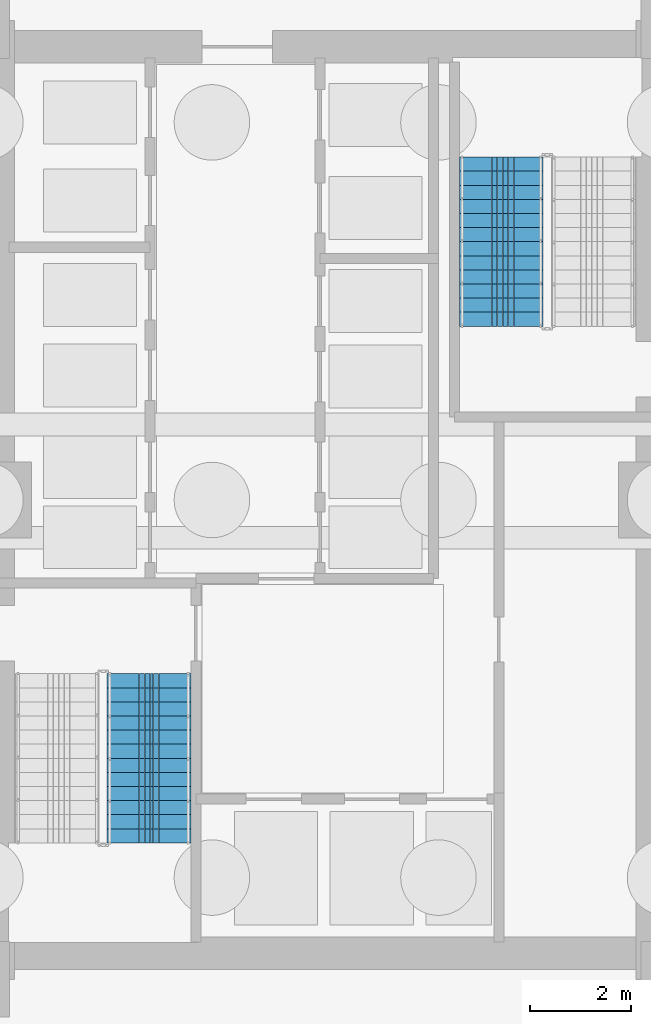
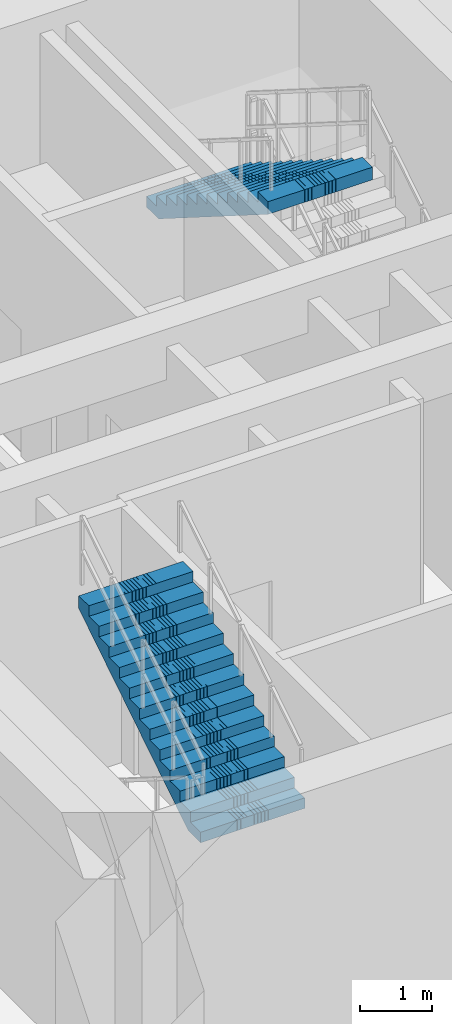
# One storey, part 6 of 14: 2 stair flights, 2 elements without a shape of their own.
"""IFC4 building model written with IfcOpenShell, lengths in metres."""

from ifc_helpers import new_model, si_unit, direction, frame, origin, place, context, subcontext, project, spatial, polyline, outline, extrude, material, type_object, element, aggregate, save


model = new_model("IFC4")

# Units and contexts
model_context = context("Model", 3, precision=1e-05, world=origin(), true_north=direction((0.0, 1.0)))
body_context = subcontext(model_context, "Body", "Model", "MODEL_VIEW")
ifc_project = project(units=[si_unit("LENGTHUNIT", "METRE"), si_unit("AREAUNIT", "SQUARE_METRE"), si_unit("VOLUMEUNIT", "CUBIC_METRE"), si_unit("PLANEANGLEUNIT", "RADIAN"), si_unit("MASSUNIT", "GRAM", prefix="KILO")], contexts=[model_context])

# Site, building, storey
site_placement = place(None, origin())
site = spatial("IfcSite", under=ifc_project, at=site_placement, CompositionType="ELEMENT")
building_placement = place(site_placement, origin())
building = spatial("IfcBuilding", under=site, at=building_placement, Name="Saelheon Loggia Tower", CompositionType="ELEMENT")
storey_placement = place(building_placement, frame((0.0, 0.0, -9.199951171875)))
storey = spatial("IfcBuildingStorey", under=building, at=storey_placement, Name="B2", CompositionType="ELEMENT", Elevation=-9.199951171875)

# Stair, stair flight
ifc_material = material(Name="Concrete C40/50", Category="concrete")
stair_type = type_object("IfcStairType", Name="Stair_Escape_Core", PredefinedType="HALF_TURN_STAIR", material=ifc_material)
stair_1_placement = place(storey_placement, origin())
stair_1 = element("IfcStair", 1, at=stair_1_placement, inside=storey, type_object=stair_type, Name="B2 Special Escape Stair ST1", PredefinedType="HALF_TURN_STAIR")
stair_flight_type = type_object("IfcStairFlightType", Name="StairFlight_Tower_1660", PredefinedType="STRAIGHT", material=ifc_material)
stair_flight_1_placement = place(storey_placement, frame((34.5, 20.18994140625, 2.300048828125), z_axis=(0.0, 0.0, 1.0), x_axis=(0.0, 1.0, 0.0)))
stair_flight_1 = element("IfcStairFlight", 2, at=stair_flight_1_placement, type_object=stair_flight_type, Name="ST1 flight 2", NumberOfRisers=13, NumberOfTreads=12, PredefinedType="STRAIGHT", RiserHeight=0.176923077, TreadLength=0.28, context=body_context, shape_type="SweptSolid", body=[
    extrude(outline(polyline([(0.0, 0.0), (0.0, 0.177001953125), (0.280029296875, 0.177001953125), (0.280029296875, 0.353759765625), (0.56005859375, 0.353759765625), (0.56005859375, 0.53076171875), (0.840087890625, 0.53076171875), (0.840087890625, 0.707763671875), (1.1201171875, 0.707763671875), (1.1201171875, 0.884521484375), (1.39990234375, 0.884521484375), (1.39990234375, 1.0615234375), (1.679931640625, 1.0615234375), (1.679931640625, 1.238525390625), (1.9599609375, 1.238525390625), (1.9599609375, 1.415283203125), (2.239990234375, 1.415283203125), (2.239990234375, 1.59228515625), (2.52001953125, 1.59228515625), (2.52001953125, 1.769287109375), (2.800048828125, 1.769287109375), (2.800048828125, 1.946044921875), (3.080078125, 1.946044921875), (3.080078125, 2.123046875), (3.360107421875, 2.123046875), (3.360107421875, 2.300048828125), (3.360107421875, 1.91015625), (0.3369140625, 0.0), (0.0, 0.0)])), frame((0.0, -0.2490234375, 0.0), z_axis=(0.0, -1.0, 0.0), x_axis=(1.0, 0.0, 0.0)), (0.0, 0.0, 1.0), 0.5810546875),
    extrude(outline(polyline([(0.0, 0.0), (0.0, 0.177001953125), (0.280029296875, 0.177001953125), (0.280029296875, 0.353759765625), (0.56005859375, 0.353759765625), (0.56005859375, 0.53076171875), (0.840087890625, 0.53076171875), (0.840087890625, 0.707763671875), (1.1201171875, 0.707763671875), (1.1201171875, 0.884521484375), (1.39990234375, 0.884521484375), (1.39990234375, 1.0615234375), (1.679931640625, 1.0615234375), (1.679931640625, 1.238525390625), (1.9599609375, 1.238525390625), (1.9599609375, 1.415283203125), (2.239990234375, 1.415283203125), (2.239990234375, 1.59228515625), (2.52001953125, 1.59228515625), (2.52001953125, 1.769287109375), (2.800048828125, 1.769287109375), (2.800048828125, 1.946044921875), (3.080078125, 1.946044921875), (3.080078125, 2.123046875), (3.360107421875, 2.123046875), (3.360107421875, 2.300048828125), (3.360107421875, 1.91015625), (0.3369140625, 0.0), (0.0, 0.0)])), frame((0.0, -0.194091796875, 0.0), z_axis=(0.0, -1.0, 0.0), x_axis=(1.0, 0.0, 0.0)), (0.0, 0.0, 1.0), 0.0498046875),
    extrude(outline(polyline([(0.0, 0.0), (0.0, 0.177001953125), (0.280029296875, 0.177001953125), (0.280029296875, 0.353759765625), (0.56005859375, 0.353759765625), (0.56005859375, 0.53076171875), (0.840087890625, 0.53076171875), (0.840087890625, 0.707763671875), (1.1201171875, 0.707763671875), (1.1201171875, 0.884521484375), (1.39990234375, 0.884521484375), (1.39990234375, 1.0615234375), (1.679931640625, 1.0615234375), (1.679931640625, 1.238525390625), (1.9599609375, 1.238525390625), (1.9599609375, 1.415283203125), (2.239990234375, 1.415283203125), (2.239990234375, 1.59228515625), (2.52001953125, 1.59228515625), (2.52001953125, 1.769287109375), (2.800048828125, 1.769287109375), (2.800048828125, 1.946044921875), (3.080078125, 1.946044921875), (3.080078125, 2.123046875), (3.360107421875, 2.123046875), (3.360107421875, 2.300048828125), (3.360107421875, 1.91015625), (0.3369140625, 0.0), (0.0, 0.0)])), frame((0.0, -0.139404296875, 0.0), z_axis=(0.0, -1.0, 0.0), x_axis=(1.0, 0.0, 0.0)), (0.0, 0.0, 1.0), 0.0498046875),
    extrude(outline(polyline([(0.0, 0.0), (0.0, 0.177001953125), (0.280029296875, 0.177001953125), (0.280029296875, 0.353759765625), (0.56005859375, 0.353759765625), (0.56005859375, 0.53076171875), (0.840087890625, 0.53076171875), (0.840087890625, 0.707763671875), (1.1201171875, 0.707763671875), (1.1201171875, 0.884521484375), (1.39990234375, 0.884521484375), (1.39990234375, 1.0615234375), (1.679931640625, 1.0615234375), (1.679931640625, 1.238525390625), (1.9599609375, 1.238525390625), (1.9599609375, 1.415283203125), (2.239990234375, 1.415283203125), (2.239990234375, 1.59228515625), (2.52001953125, 1.59228515625), (2.52001953125, 1.769287109375), (2.800048828125, 1.769287109375), (2.800048828125, 1.946044921875), (3.080078125, 1.946044921875), (3.080078125, 2.123046875), (3.360107421875, 2.123046875), (3.360107421875, 2.300048828125), (3.360107421875, 1.91015625), (0.3369140625, 0.0), (0.0, 0.0)])), frame((0.0, -0.084716796875, 0.0), z_axis=(0.0, -1.0, 0.0), x_axis=(1.0, 0.0, 0.0)), (0.0, 0.0, 1.0), 0.0498046875),
    extrude(outline(polyline([(0.0, 0.0), (0.0, 0.177001953125), (0.280029296875, 0.177001953125), (0.280029296875, 0.353759765625), (0.56005859375, 0.353759765625), (0.56005859375, 0.53076171875), (0.840087890625, 0.53076171875), (0.840087890625, 0.707763671875), (1.1201171875, 0.707763671875), (1.1201171875, 0.884521484375), (1.39990234375, 0.884521484375), (1.39990234375, 1.0615234375), (1.679931640625, 1.0615234375), (1.679931640625, 1.238525390625), (1.9599609375, 1.238525390625), (1.9599609375, 1.415283203125), (2.239990234375, 1.415283203125), (2.239990234375, 1.59228515625), (2.52001953125, 1.59228515625), (2.52001953125, 1.769287109375), (2.800048828125, 1.769287109375), (2.800048828125, 1.946044921875), (3.080078125, 1.946044921875), (3.080078125, 2.123046875), (3.360107421875, 2.123046875), (3.360107421875, 2.300048828125), (3.360107421875, 1.91015625), (0.3369140625, 0.0), (0.0, 0.0)])), frame((0.0, -0.02978515625, 0.0), z_axis=(0.0, -1.0, 0.0), x_axis=(1.0, 0.0, 0.0)), (0.0, 0.0, 1.0), 0.0498046875),
    extrude(outline(polyline([(0.0, 0.0), (0.0, 0.177001953125), (0.280029296875, 0.177001953125), (0.280029296875, 0.353759765625), (0.56005859375, 0.353759765625), (0.56005859375, 0.53076171875), (0.840087890625, 0.53076171875), (0.840087890625, 0.707763671875), (1.1201171875, 0.707763671875), (1.1201171875, 0.884521484375), (1.39990234375, 0.884521484375), (1.39990234375, 1.0615234375), (1.679931640625, 1.0615234375), (1.679931640625, 1.238525390625), (1.9599609375, 1.238525390625), (1.9599609375, 1.415283203125), (2.239990234375, 1.415283203125), (2.239990234375, 1.59228515625), (2.52001953125, 1.59228515625), (2.52001953125, 1.769287109375), (2.800048828125, 1.769287109375), (2.800048828125, 1.946044921875), (3.080078125, 1.946044921875), (3.080078125, 2.123046875), (3.360107421875, 2.123046875), (3.360107421875, 2.300048828125), (3.360107421875, 1.91015625), (0.3369140625, 0.0), (0.0, 0.0)])), frame((0.0, 0.02490234375, 0.0), z_axis=(0.0, -1.0, 0.0), x_axis=(1.0, 0.0, 0.0)), (0.0, 0.0, 1.0), 0.0498046875),
    extrude(outline(polyline([(0.0, 0.0), (0.0, 0.177001953125), (0.280029296875, 0.177001953125), (0.280029296875, 0.353759765625), (0.56005859375, 0.353759765625), (0.56005859375, 0.53076171875), (0.840087890625, 0.53076171875), (0.840087890625, 0.707763671875), (1.1201171875, 0.707763671875), (1.1201171875, 0.884521484375), (1.39990234375, 0.884521484375), (1.39990234375, 1.0615234375), (1.679931640625, 1.0615234375), (1.679931640625, 1.238525390625), (1.9599609375, 1.238525390625), (1.9599609375, 1.415283203125), (2.239990234375, 1.415283203125), (2.239990234375, 1.59228515625), (2.52001953125, 1.59228515625), (2.52001953125, 1.769287109375), (2.800048828125, 1.769287109375), (2.800048828125, 1.946044921875), (3.080078125, 1.946044921875), (3.080078125, 2.123046875), (3.360107421875, 2.123046875), (3.360107421875, 2.300048828125), (3.360107421875, 1.91015625), (0.3369140625, 0.0), (0.0, 0.0)])), frame((0.0, 0.07958984375, 0.0), z_axis=(0.0, -1.0, 0.0), x_axis=(1.0, 0.0, 0.0)), (0.0, 0.0, 1.0), 0.0498046875),
    extrude(outline(polyline([(0.0, 0.0), (0.0, 0.177001953125), (0.280029296875, 0.177001953125), (0.280029296875, 0.353759765625), (0.56005859375, 0.353759765625), (0.56005859375, 0.53076171875), (0.840087890625, 0.53076171875), (0.840087890625, 0.707763671875), (1.1201171875, 0.707763671875), (1.1201171875, 0.884521484375), (1.39990234375, 0.884521484375), (1.39990234375, 1.0615234375), (1.679931640625, 1.0615234375), (1.679931640625, 1.238525390625), (1.9599609375, 1.238525390625), (1.9599609375, 1.415283203125), (2.239990234375, 1.415283203125), (2.239990234375, 1.59228515625), (2.52001953125, 1.59228515625), (2.52001953125, 1.769287109375), (2.800048828125, 1.769287109375), (2.800048828125, 1.946044921875), (3.080078125, 1.946044921875), (3.080078125, 2.123046875), (3.360107421875, 2.123046875), (3.360107421875, 2.300048828125), (3.360107421875, 1.91015625), (0.3369140625, 0.0), (0.0, 0.0)])), frame((0.0, 0.134521484375, 0.0), z_axis=(0.0, -1.0, 0.0), x_axis=(1.0, 0.0, 0.0)), (0.0, 0.0, 1.0), 0.0498046875),
    extrude(outline(polyline([(0.0, 0.0), (0.0, 0.177001953125), (0.280029296875, 0.177001953125), (0.280029296875, 0.353759765625), (0.56005859375, 0.353759765625), (0.56005859375, 0.53076171875), (0.840087890625, 0.53076171875), (0.840087890625, 0.707763671875), (1.1201171875, 0.707763671875), (1.1201171875, 0.884521484375), (1.39990234375, 0.884521484375), (1.39990234375, 1.0615234375), (1.679931640625, 1.0615234375), (1.679931640625, 1.238525390625), (1.9599609375, 1.238525390625), (1.9599609375, 1.415283203125), (2.239990234375, 1.415283203125), (2.239990234375, 1.59228515625), (2.52001953125, 1.59228515625), (2.52001953125, 1.769287109375), (2.800048828125, 1.769287109375), (2.800048828125, 1.946044921875), (3.080078125, 1.946044921875), (3.080078125, 2.123046875), (3.360107421875, 2.123046875), (3.360107421875, 2.300048828125), (3.360107421875, 1.91015625), (0.3369140625, 0.0), (0.0, 0.0)])), frame((0.0, 0.189208984375, 0.0), z_axis=(0.0, -1.0, 0.0), x_axis=(1.0, 0.0, 0.0)), (0.0, 0.0, 1.0), 0.0498046875),
    extrude(outline(polyline([(0.0, 0.0), (0.0, 0.177001953125), (0.280029296875, 0.177001953125), (0.280029296875, 0.353759765625), (0.56005859375, 0.353759765625), (0.56005859375, 0.53076171875), (0.840087890625, 0.53076171875), (0.840087890625, 0.707763671875), (1.1201171875, 0.707763671875), (1.1201171875, 0.884521484375), (1.39990234375, 0.884521484375), (1.39990234375, 1.0615234375), (1.679931640625, 1.0615234375), (1.679931640625, 1.238525390625), (1.9599609375, 1.238525390625), (1.9599609375, 1.415283203125), (2.239990234375, 1.415283203125), (2.239990234375, 1.59228515625), (2.52001953125, 1.59228515625), (2.52001953125, 1.769287109375), (2.800048828125, 1.769287109375), (2.800048828125, 1.946044921875), (3.080078125, 1.946044921875), (3.080078125, 2.123046875), (3.360107421875, 2.123046875), (3.360107421875, 2.300048828125), (3.360107421875, 1.91015625), (0.3369140625, 0.0), (0.0, 0.0)])), frame((0.0, 0.243896484375, 0.0), z_axis=(0.0, -1.0, 0.0), x_axis=(1.0, 0.0, 0.0)), (0.0, 0.0, 1.0), 0.0498046875),
    extrude(outline(polyline([(0.0, 0.0), (0.0, 0.177001953125), (0.280029296875, 0.177001953125), (0.280029296875, 0.353759765625), (0.56005859375, 0.353759765625), (0.56005859375, 0.53076171875), (0.840087890625, 0.53076171875), (0.840087890625, 0.707763671875), (1.1201171875, 0.707763671875), (1.1201171875, 0.884521484375), (1.39990234375, 0.884521484375), (1.39990234375, 1.0615234375), (1.679931640625, 1.0615234375), (1.679931640625, 1.238525390625), (1.9599609375, 1.238525390625), (1.9599609375, 1.415283203125), (2.239990234375, 1.415283203125), (2.239990234375, 1.59228515625), (2.52001953125, 1.59228515625), (2.52001953125, 1.769287109375), (2.800048828125, 1.769287109375), (2.800048828125, 1.946044921875), (3.080078125, 1.946044921875), (3.080078125, 2.123046875), (3.360107421875, 2.123046875), (3.360107421875, 2.300048828125), (3.360107421875, 1.91015625), (0.3369140625, 0.0), (0.0, 0.0)])), frame((0.0, 0.830078125, 0.0), z_axis=(0.0, -1.0, 0.0), x_axis=(1.0, 0.0, 0.0)), (0.0, 0.0, 1.0), 0.5810546875),
])
aggregate(stair_1, [stair_flight_1])

stair_2_placement = place(storey_placement, origin())
stair_2 = element("IfcStair", 3, at=stair_2_placement, inside=storey, type_object=stair_type, Name="B2 Special Escape Stair ST2", PredefinedType="HALF_TURN_STAIR")
stair_flight_2_placement = place(storey_placement, frame((41.5, 33.81005859375, 2.300048828125), z_axis=(0.0, 0.0, 1.0), x_axis=(0.0, -1.0, 0.0)))
stair_flight_2 = element("IfcStairFlight", 4, at=stair_flight_2_placement, type_object=stair_flight_type, Name="ST2 flight 2", NumberOfRisers=13, NumberOfTreads=12, PredefinedType="STRAIGHT", RiserHeight=0.176923077, TreadLength=0.28, context=body_context, shape_type="SweptSolid", body=[
    extrude(outline(polyline([(0.0, 0.0), (0.0, 0.177001953125), (0.280029296875, 0.177001953125), (0.280029296875, 0.353759765625), (0.56005859375, 0.353759765625), (0.56005859375, 0.53076171875), (0.840087890625, 0.53076171875), (0.840087890625, 0.707763671875), (1.1201171875, 0.707763671875), (1.1201171875, 0.884521484375), (1.39990234375, 0.884521484375), (1.39990234375, 1.0615234375), (1.679931640625, 1.0615234375), (1.679931640625, 1.238525390625), (1.9599609375, 1.238525390625), (1.9599609375, 1.415283203125), (2.239990234375, 1.415283203125), (2.239990234375, 1.59228515625), (2.52001953125, 1.59228515625), (2.52001953125, 1.769287109375), (2.800048828125, 1.769287109375), (2.800048828125, 1.946044921875), (3.080078125, 1.946044921875), (3.080078125, 2.123046875), (3.360107421875, 2.123046875), (3.360107421875, 2.300048828125), (3.360107421875, 1.91015625), (0.3369140625, 0.0), (0.0, 0.0)])), frame((0.0, -0.2490234375, 0.0), z_axis=(0.0, -1.0, 0.0), x_axis=(1.0, 0.0, 0.0)), (0.0, 0.0, 1.0), 0.5810546875),
    extrude(outline(polyline([(0.0, 0.0), (0.0, 0.177001953125), (0.280029296875, 0.177001953125), (0.280029296875, 0.353759765625), (0.56005859375, 0.353759765625), (0.56005859375, 0.53076171875), (0.840087890625, 0.53076171875), (0.840087890625, 0.707763671875), (1.1201171875, 0.707763671875), (1.1201171875, 0.884521484375), (1.39990234375, 0.884521484375), (1.39990234375, 1.0615234375), (1.679931640625, 1.0615234375), (1.679931640625, 1.238525390625), (1.9599609375, 1.238525390625), (1.9599609375, 1.415283203125), (2.239990234375, 1.415283203125), (2.239990234375, 1.59228515625), (2.52001953125, 1.59228515625), (2.52001953125, 1.769287109375), (2.800048828125, 1.769287109375), (2.800048828125, 1.946044921875), (3.080078125, 1.946044921875), (3.080078125, 2.123046875), (3.360107421875, 2.123046875), (3.360107421875, 2.300048828125), (3.360107421875, 1.91015625), (0.3369140625, 0.0), (0.0, 0.0)])), frame((0.0, -0.194091796875, 0.0), z_axis=(0.0, -1.0, 0.0), x_axis=(1.0, 0.0, 0.0)), (0.0, 0.0, 1.0), 0.0498046875),
    extrude(outline(polyline([(0.0, 0.0), (0.0, 0.177001953125), (0.280029296875, 0.177001953125), (0.280029296875, 0.353759765625), (0.56005859375, 0.353759765625), (0.56005859375, 0.53076171875), (0.840087890625, 0.53076171875), (0.840087890625, 0.707763671875), (1.1201171875, 0.707763671875), (1.1201171875, 0.884521484375), (1.39990234375, 0.884521484375), (1.39990234375, 1.0615234375), (1.679931640625, 1.0615234375), (1.679931640625, 1.238525390625), (1.9599609375, 1.238525390625), (1.9599609375, 1.415283203125), (2.239990234375, 1.415283203125), (2.239990234375, 1.59228515625), (2.52001953125, 1.59228515625), (2.52001953125, 1.769287109375), (2.800048828125, 1.769287109375), (2.800048828125, 1.946044921875), (3.080078125, 1.946044921875), (3.080078125, 2.123046875), (3.360107421875, 2.123046875), (3.360107421875, 2.300048828125), (3.360107421875, 1.91015625), (0.3369140625, 0.0), (0.0, 0.0)])), frame((0.0, -0.139404296875, 0.0), z_axis=(0.0, -1.0, 0.0), x_axis=(1.0, 0.0, 0.0)), (0.0, 0.0, 1.0), 0.0498046875),
    extrude(outline(polyline([(0.0, 0.0), (0.0, 0.177001953125), (0.280029296875, 0.177001953125), (0.280029296875, 0.353759765625), (0.56005859375, 0.353759765625), (0.56005859375, 0.53076171875), (0.840087890625, 0.53076171875), (0.840087890625, 0.707763671875), (1.1201171875, 0.707763671875), (1.1201171875, 0.884521484375), (1.39990234375, 0.884521484375), (1.39990234375, 1.0615234375), (1.679931640625, 1.0615234375), (1.679931640625, 1.238525390625), (1.9599609375, 1.238525390625), (1.9599609375, 1.415283203125), (2.239990234375, 1.415283203125), (2.239990234375, 1.59228515625), (2.52001953125, 1.59228515625), (2.52001953125, 1.769287109375), (2.800048828125, 1.769287109375), (2.800048828125, 1.946044921875), (3.080078125, 1.946044921875), (3.080078125, 2.123046875), (3.360107421875, 2.123046875), (3.360107421875, 2.300048828125), (3.360107421875, 1.91015625), (0.3369140625, 0.0), (0.0, 0.0)])), frame((0.0, -0.084716796875, 0.0), z_axis=(0.0, -1.0, 0.0), x_axis=(1.0, 0.0, 0.0)), (0.0, 0.0, 1.0), 0.0498046875),
    extrude(outline(polyline([(0.0, 0.0), (0.0, 0.177001953125), (0.280029296875, 0.177001953125), (0.280029296875, 0.353759765625), (0.56005859375, 0.353759765625), (0.56005859375, 0.53076171875), (0.840087890625, 0.53076171875), (0.840087890625, 0.707763671875), (1.1201171875, 0.707763671875), (1.1201171875, 0.884521484375), (1.39990234375, 0.884521484375), (1.39990234375, 1.0615234375), (1.679931640625, 1.0615234375), (1.679931640625, 1.238525390625), (1.9599609375, 1.238525390625), (1.9599609375, 1.415283203125), (2.239990234375, 1.415283203125), (2.239990234375, 1.59228515625), (2.52001953125, 1.59228515625), (2.52001953125, 1.769287109375), (2.800048828125, 1.769287109375), (2.800048828125, 1.946044921875), (3.080078125, 1.946044921875), (3.080078125, 2.123046875), (3.360107421875, 2.123046875), (3.360107421875, 2.300048828125), (3.360107421875, 1.91015625), (0.3369140625, 0.0), (0.0, 0.0)])), frame((0.0, -0.02978515625, 0.0), z_axis=(0.0, -1.0, 0.0), x_axis=(1.0, 0.0, 0.0)), (0.0, 0.0, 1.0), 0.0498046875),
    extrude(outline(polyline([(0.0, 0.0), (0.0, 0.177001953125), (0.280029296875, 0.177001953125), (0.280029296875, 0.353759765625), (0.56005859375, 0.353759765625), (0.56005859375, 0.53076171875), (0.840087890625, 0.53076171875), (0.840087890625, 0.707763671875), (1.1201171875, 0.707763671875), (1.1201171875, 0.884521484375), (1.39990234375, 0.884521484375), (1.39990234375, 1.0615234375), (1.679931640625, 1.0615234375), (1.679931640625, 1.238525390625), (1.9599609375, 1.238525390625), (1.9599609375, 1.415283203125), (2.239990234375, 1.415283203125), (2.239990234375, 1.59228515625), (2.52001953125, 1.59228515625), (2.52001953125, 1.769287109375), (2.800048828125, 1.769287109375), (2.800048828125, 1.946044921875), (3.080078125, 1.946044921875), (3.080078125, 2.123046875), (3.360107421875, 2.123046875), (3.360107421875, 2.300048828125), (3.360107421875, 1.91015625), (0.3369140625, 0.0), (0.0, 0.0)])), frame((0.0, 0.02490234375, 0.0), z_axis=(0.0, -1.0, 0.0), x_axis=(1.0, 0.0, 0.0)), (0.0, 0.0, 1.0), 0.0498046875),
    extrude(outline(polyline([(0.0, 0.0), (0.0, 0.177001953125), (0.280029296875, 0.177001953125), (0.280029296875, 0.353759765625), (0.56005859375, 0.353759765625), (0.56005859375, 0.53076171875), (0.840087890625, 0.53076171875), (0.840087890625, 0.707763671875), (1.1201171875, 0.707763671875), (1.1201171875, 0.884521484375), (1.39990234375, 0.884521484375), (1.39990234375, 1.0615234375), (1.679931640625, 1.0615234375), (1.679931640625, 1.238525390625), (1.9599609375, 1.238525390625), (1.9599609375, 1.415283203125), (2.239990234375, 1.415283203125), (2.239990234375, 1.59228515625), (2.52001953125, 1.59228515625), (2.52001953125, 1.769287109375), (2.800048828125, 1.769287109375), (2.800048828125, 1.946044921875), (3.080078125, 1.946044921875), (3.080078125, 2.123046875), (3.360107421875, 2.123046875), (3.360107421875, 2.300048828125), (3.360107421875, 1.91015625), (0.3369140625, 0.0), (0.0, 0.0)])), frame((0.0, 0.07958984375, 0.0), z_axis=(0.0, -1.0, 0.0), x_axis=(1.0, 0.0, 0.0)), (0.0, 0.0, 1.0), 0.0498046875),
    extrude(outline(polyline([(0.0, 0.0), (0.0, 0.177001953125), (0.280029296875, 0.177001953125), (0.280029296875, 0.353759765625), (0.56005859375, 0.353759765625), (0.56005859375, 0.53076171875), (0.840087890625, 0.53076171875), (0.840087890625, 0.707763671875), (1.1201171875, 0.707763671875), (1.1201171875, 0.884521484375), (1.39990234375, 0.884521484375), (1.39990234375, 1.0615234375), (1.679931640625, 1.0615234375), (1.679931640625, 1.238525390625), (1.9599609375, 1.238525390625), (1.9599609375, 1.415283203125), (2.239990234375, 1.415283203125), (2.239990234375, 1.59228515625), (2.52001953125, 1.59228515625), (2.52001953125, 1.769287109375), (2.800048828125, 1.769287109375), (2.800048828125, 1.946044921875), (3.080078125, 1.946044921875), (3.080078125, 2.123046875), (3.360107421875, 2.123046875), (3.360107421875, 2.300048828125), (3.360107421875, 1.91015625), (0.3369140625, 0.0), (0.0, 0.0)])), frame((0.0, 0.134521484375, 0.0), z_axis=(0.0, -1.0, 0.0), x_axis=(1.0, 0.0, 0.0)), (0.0, 0.0, 1.0), 0.0498046875),
    extrude(outline(polyline([(0.0, 0.0), (0.0, 0.177001953125), (0.280029296875, 0.177001953125), (0.280029296875, 0.353759765625), (0.56005859375, 0.353759765625), (0.56005859375, 0.53076171875), (0.840087890625, 0.53076171875), (0.840087890625, 0.707763671875), (1.1201171875, 0.707763671875), (1.1201171875, 0.884521484375), (1.39990234375, 0.884521484375), (1.39990234375, 1.0615234375), (1.679931640625, 1.0615234375), (1.679931640625, 1.238525390625), (1.9599609375, 1.238525390625), (1.9599609375, 1.415283203125), (2.239990234375, 1.415283203125), (2.239990234375, 1.59228515625), (2.52001953125, 1.59228515625), (2.52001953125, 1.769287109375), (2.800048828125, 1.769287109375), (2.800048828125, 1.946044921875), (3.080078125, 1.946044921875), (3.080078125, 2.123046875), (3.360107421875, 2.123046875), (3.360107421875, 2.300048828125), (3.360107421875, 1.91015625), (0.3369140625, 0.0), (0.0, 0.0)])), frame((0.0, 0.189208984375, 0.0), z_axis=(0.0, -1.0, 0.0), x_axis=(1.0, 0.0, 0.0)), (0.0, 0.0, 1.0), 0.0498046875),
    extrude(outline(polyline([(0.0, 0.0), (0.0, 0.177001953125), (0.280029296875, 0.177001953125), (0.280029296875, 0.353759765625), (0.56005859375, 0.353759765625), (0.56005859375, 0.53076171875), (0.840087890625, 0.53076171875), (0.840087890625, 0.707763671875), (1.1201171875, 0.707763671875), (1.1201171875, 0.884521484375), (1.39990234375, 0.884521484375), (1.39990234375, 1.0615234375), (1.679931640625, 1.0615234375), (1.679931640625, 1.238525390625), (1.9599609375, 1.238525390625), (1.9599609375, 1.415283203125), (2.239990234375, 1.415283203125), (2.239990234375, 1.59228515625), (2.52001953125, 1.59228515625), (2.52001953125, 1.769287109375), (2.800048828125, 1.769287109375), (2.800048828125, 1.946044921875), (3.080078125, 1.946044921875), (3.080078125, 2.123046875), (3.360107421875, 2.123046875), (3.360107421875, 2.300048828125), (3.360107421875, 1.91015625), (0.3369140625, 0.0), (0.0, 0.0)])), frame((0.0, 0.243896484375, 0.0), z_axis=(0.0, -1.0, 0.0), x_axis=(1.0, 0.0, 0.0)), (0.0, 0.0, 1.0), 0.0498046875),
    extrude(outline(polyline([(0.0, 0.0), (0.0, 0.177001953125), (0.280029296875, 0.177001953125), (0.280029296875, 0.353759765625), (0.56005859375, 0.353759765625), (0.56005859375, 0.53076171875), (0.840087890625, 0.53076171875), (0.840087890625, 0.707763671875), (1.1201171875, 0.707763671875), (1.1201171875, 0.884521484375), (1.39990234375, 0.884521484375), (1.39990234375, 1.0615234375), (1.679931640625, 1.0615234375), (1.679931640625, 1.238525390625), (1.9599609375, 1.238525390625), (1.9599609375, 1.415283203125), (2.239990234375, 1.415283203125), (2.239990234375, 1.59228515625), (2.52001953125, 1.59228515625), (2.52001953125, 1.769287109375), (2.800048828125, 1.769287109375), (2.800048828125, 1.946044921875), (3.080078125, 1.946044921875), (3.080078125, 2.123046875), (3.360107421875, 2.123046875), (3.360107421875, 2.300048828125), (3.360107421875, 1.91015625), (0.3369140625, 0.0), (0.0, 0.0)])), frame((0.0, 0.830078125, 0.0), z_axis=(0.0, -1.0, 0.0), x_axis=(1.0, 0.0, 0.0)), (0.0, 0.0, 1.0), 0.5810546875),
])
aggregate(stair_2, [stair_flight_2])

save(model, "model.ifc")
